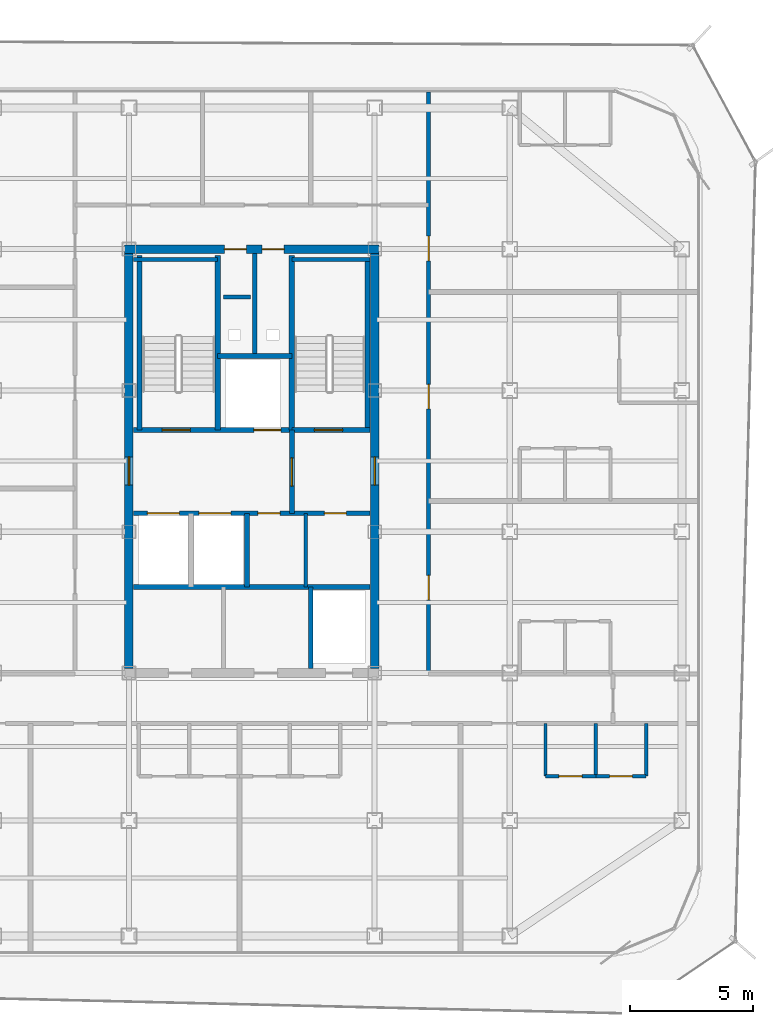
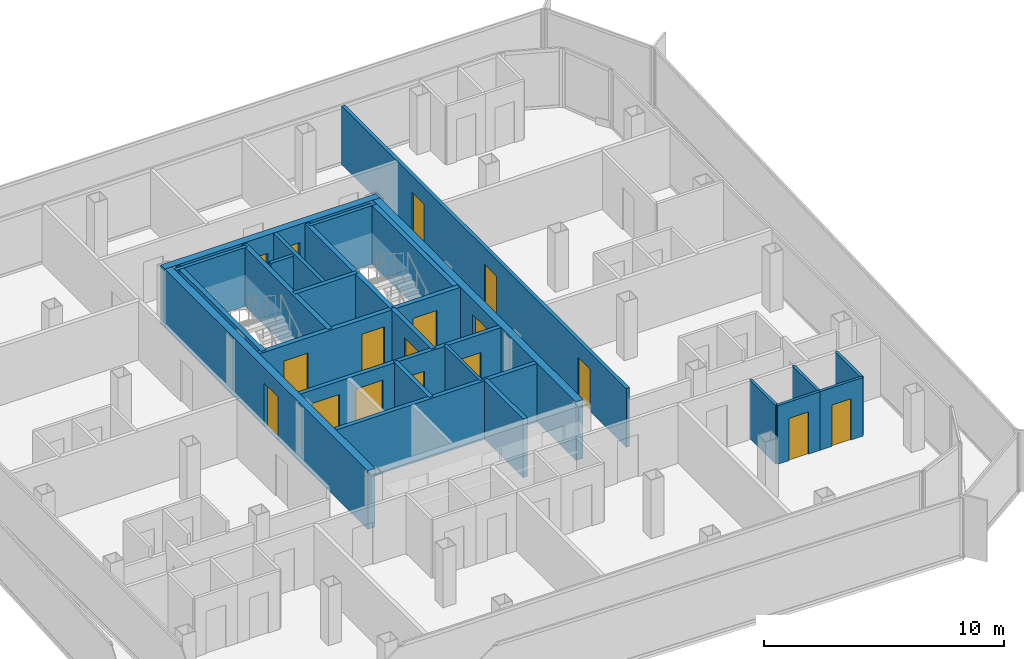
# One storey, part 11 of 16: 26 walls, 17 doors, 17 openings.
"""IFC4 building model written with IfcOpenShell, lengths in metres."""

import ifcopenshell
import ifcopenshell.guid

model = None  # the IFC model being written
_history = None  # IfcOwnerHistory: only IFC2X3 demands one
_inside = {}  # id of a spatial element -> (the spatial element, [elements in it])
_under = {}  # id of a project, library or spatial element -> (it, [spatial elements below it])
_declared = {}  # id of a project -> (the project, [libraries it declares])
_typed = {}  # id of a type object -> (the type object, [elements of that type])
_made_of = {}  # id of a material, layer set ... -> (it, [elements and type objects made of it])


def new_model(schema):
    """Start an empty IFC model of exactly this schema.

    Asked for "IFC4X3", IfcOpenShell would pick the latest addendum, in which some entities
    have other attributes; the version numbers below select the first issue.
    IFC2X3 requires an IfcOwnerHistory on every rooted entity: one is made here for all.
    """
    global model, _history
    if schema == "IFC4X3":
        model = ifcopenshell.file(schema_version=(4, 3, 0, 0))
    else:
        model = ifcopenshell.file(schema=schema)
    _inside.clear()
    _under.clear()
    _declared.clear()
    _typed.clear()
    _made_of.clear()
    _history = None
    if model.schema == "IFC2X3":
        org = make("IfcOrganization", Name="unknown")
        user = make(
            "IfcPersonAndOrganization",
            ThePerson=make("IfcPerson", FamilyName="unknown"),
            TheOrganization=org,
        )
        app = make(
            "IfcApplication",
            ApplicationDeveloper=org,
            Version="unknown",
            ApplicationFullName="unknown",
            ApplicationIdentifier="unknown",
        )
        _history = make(
            "IfcOwnerHistory",
            OwningUser=user,
            OwningApplication=app,
            ChangeAction="ADDED",
            CreationDate=0,
        )
    return model


def make(cls, **values):
    """One entity of the class cls with the attributes given. An attribute that is None is left unset."""
    return model.create_entity(
        cls, **{name: value for name, value in values.items() if value is not None}
    )


def rooted(cls, **values):
    """An entity with a GlobalId (a new one), such as an element, a storey or a relation."""
    return make(cls, GlobalId=ifcopenshell.guid.new(), OwnerHistory=_history, **values)


def si_unit(unit_type, name, prefix=None):
    """IfcSIUnit, for example si_unit("LENGTHUNIT", "METRE", prefix="MILLI")."""
    return make("IfcSIUnit", UnitType=unit_type, Prefix=prefix, Name=name)


def assignment(units):
    """IfcUnitAssignment: the units of a project."""
    return None if units is None else make("IfcUnitAssignment", Units=units)


def point(xyz):
    """IfcCartesianPoint."""
    return None if xyz is None else make("IfcCartesianPoint", Coordinates=xyz)


def direction(xyz):
    """IfcDirection."""
    return None if xyz is None else make("IfcDirection", DirectionRatios=xyz)


def frame(location, z_axis=None, x_axis=None):
    """IfcAxis2Placement3D, a coordinate frame: its origin and axes. An axis left out is left unset."""
    return make(
        "IfcAxis2Placement3D",
        Location=point(location),
        Axis=direction(z_axis),
        RefDirection=direction(x_axis),
    )


def frame_2d(location, x_axis=None):
    """IfcAxis2Placement2D, a coordinate frame in the plane: its origin and x axis."""
    return make(
        "IfcAxis2Placement2D", Location=point(location), RefDirection=direction(x_axis)
    )


def origin():
    """The frame at (0, 0, 0) with its axes left unset."""
    return frame((0.0, 0.0, 0.0))


def place(relative_to, where):
    """IfcLocalPlacement: puts the frame where relative to a parent placement (None: the world)."""
    return make(
        "IfcLocalPlacement", PlacementRelTo=relative_to, RelativePlacement=where
    )


def context(
    kind, dimensions, precision=None, world=None, true_north=None, identifier=None
):
    """IfcGeometricRepresentationContext, for example the 3D "Model" context."""
    return make(
        "IfcGeometricRepresentationContext",
        ContextIdentifier=identifier,
        ContextType=kind,
        CoordinateSpaceDimension=dimensions,
        Precision=precision,
        WorldCoordinateSystem=world,
        TrueNorth=true_north,
    )


def subcontext(parent, identifier, kind, view, scale=None):
    """IfcGeometricRepresentationSubContext, for example "Body" below "Model"."""
    return make(
        "IfcGeometricRepresentationSubContext",
        ContextIdentifier=identifier,
        ContextType=kind,
        ParentContext=parent,
        TargetScale=scale,
        TargetView=view,
    )


def project(units=None, contexts=None):
    """IfcProject with its units and contexts."""
    return rooted(
        "IfcProject",
        Name="project",
        RepresentationContexts=contexts,
        UnitsInContext=assignment(units),
    )


def spatial(cls, under=None, at=None, **own):
    """A site, building, storey or space (cls), placed at a placement, below another one or the project."""
    s = rooted(cls, ObjectPlacement=at, **own)
    if under is not None:
        _under.setdefault(under.id(), (under, []))[1].append(s)
    return s


def profile(cls, at=None, kind="AREA", **sizes):
    """A parametric profile (cls). Its sizes go by their IFC names, for example OverallWidth=200.0."""
    return make(cls, ProfileType=kind, Position=at, **sizes)


def rectangle(**sizes):
    """IfcRectangleProfileDef."""
    return profile("IfcRectangleProfileDef", **sizes)


def extrude(swept, where, along, depth):
    """IfcExtrudedAreaSolid: the profile swept, set in the frame where, extruded along a direction by depth."""
    return make(
        "IfcExtrudedAreaSolid",
        SweptArea=swept,
        Position=where,
        ExtrudedDirection=direction(along),
        Depth=depth,
    )


def shape(context_of_items, identifier, shape_type, items):
    """IfcShapeRepresentation: the items that make up one representation, for example the "Body"."""
    return make(
        "IfcShapeRepresentation",
        ContextOfItems=context_of_items,
        RepresentationIdentifier=identifier,
        RepresentationType=shape_type,
        Items=items,
    )


def material(Name=None, Category=None):
    """IfcMaterial."""
    return make("IfcMaterial", Name=Name, Category=Category)


def layer(
    of_material, thickness, ventilated=None, Name=None, Category=None, Priority=None
):
    """IfcMaterialLayer: one layer of a wall or slab, of a material (None: an air gap)."""
    return make(
        "IfcMaterialLayer",
        Material=of_material,
        LayerThickness=thickness,
        IsVentilated=ventilated,
        Name=Name,
        Category=Category,
        Priority=Priority,
    )


def layer_set(layers, Name=None):
    """IfcMaterialLayerSet."""
    return make("IfcMaterialLayerSet", MaterialLayers=layers, LayerSetName=Name)


def made_of(thing, what):
    """Note that an element or type object is made of a material, layer set ...; save() writes the relation."""
    if what is not None:
        _made_of.setdefault(what.id(), (what, []))[1].append(thing)
    return thing


def type_object(cls, material=None, **own):
    """A type object (cls), such as IfcWallType, which elements share."""
    return made_of(rooted(cls, **own), material)


def element(
    cls,
    number,
    at=None,
    inside=None,
    cuts=None,
    type_object=None,
    material=None,
    context=None,
    identifier="Body",
    shape_type=None,
    held_by="IfcProductDefinitionShape",
    body=None,
    shapes=None,
    **own,
):
    """One element of the class cls, such as IfcWall. Its Tag is "e" and its number.

    at: its placement. inside: the storey or other place that contains it. cuts: it is an
    opening in that element (IfcRelVoidsElement). A single representation is given by context,
    identifier, shape_type and body (its items); several are given by shapes. held_by: the class
    of the entity that holds the representations. save() writes the other relations.
    """
    e = rooted(cls, Tag="e%d" % number, ObjectPlacement=at, **own)
    if body is not None:
        shapes = [shape(context, identifier, shape_type, body)]
    if shapes is not None:
        e.Representation = make(held_by, Representations=shapes)
    if inside is not None:
        _inside.setdefault(inside.id(), (inside, []))[1].append(e)
    if cuts is not None:
        rooted(
            "IfcRelVoidsElement", RelatingBuildingElement=cuts, RelatedOpeningElement=e
        )
    if type_object is not None:
        _typed.setdefault(type_object.id(), (type_object, []))[1].append(e)
    return made_of(e, material)


def fill(opening, filler):
    """IfcRelFillsElement: the door or window that sits in an opening."""
    return rooted(
        "IfcRelFillsElement",
        RelatingOpeningElement=opening,
        RelatedBuildingElement=filler,
    )


def aggregate(whole, parts):
    """IfcRelAggregates: a whole, such as a stair, and the parts it consists of."""
    return rooted("IfcRelAggregates", RelatingObject=whole, RelatedObjects=parts)


def save(model, path):
    """Write the relations noted so far, then the file.

    IfcRelAggregates (storeys below a building ...), IfcRelContainedInSpatialStructure (elements
    in a storey), IfcRelDefinesByType, IfcRelAssociatesMaterial and IfcRelDeclares: one each for
    every whole, place, type object, material and project.
    """
    for whole, parts in _under.values():
        aggregate(whole, parts)
    for where, things in _inside.values():
        rooted(
            "IfcRelContainedInSpatialStructure",
            RelatedElements=things,
            RelatingStructure=where,
        )
    for kind, things in _typed.values():
        rooted("IfcRelDefinesByType", RelatedObjects=things, RelatingType=kind)
    for what, things in _made_of.values():
        rooted("IfcRelAssociatesMaterial", RelatedObjects=things, RelatingMaterial=what)
    for by, libraries in _declared.values():
        rooted("IfcRelDeclares", RelatingContext=by, RelatedDefinitions=libraries)
    model.write(path)


model = new_model("IFC4")

# Units and contexts
model_context = context("Model", 3, precision=1e-05, world=origin(), true_north=direction((0.0, 1.0)))
body_context = subcontext(model_context, "Body", "Model", "MODEL_VIEW")
ifc_project = project(units=[si_unit("LENGTHUNIT", "METRE"), si_unit("AREAUNIT", "SQUARE_METRE"), si_unit("VOLUMEUNIT", "CUBIC_METRE"), si_unit("PLANEANGLEUNIT", "RADIAN"), si_unit("MASSUNIT", "GRAM", prefix="KILO")], contexts=[model_context])

# Site, building, storey
site_placement = place(None, origin())
site = spatial("IfcSite", under=ifc_project, at=site_placement, CompositionType="ELEMENT")
building_placement = place(site_placement, origin())
building = spatial("IfcBuilding", under=site, at=building_placement, Name="Kolveth Station Tower", CompositionType="ELEMENT")
storey_placement = place(building_placement, frame((0.0, 0.0, 236.10009765625)))
storey = spatial("IfcBuildingStorey", under=building, at=storey_placement, Name="L67", CompositionType="ELEMENT", Elevation=236.10009765625)

# Wall, openings, doors
ifc_material_1 = material(Name="Concrete C50/60", Category="concrete")
ifc_layer_1 = layer(ifc_material_1, 0.35009765625)
ifc_layer_set_1 = layer_set([ifc_layer_1], Name="Concrete C50/60")
wall_type_1 = type_object("IfcWallType", Name="Wall_CW-350", PredefinedType="SHEAR", material=ifc_layer_set_1)
wall_1_placement = place(storey_placement, frame((18.324951171875, 28.75, 0.0), z_axis=(0.0, 0.0, 1.0), x_axis=(1.0, 0.0, 0.0)))
wall_1 = element("IfcWall", 1, at=wall_1_placement, inside=storey, type_object=wall_type_1, Name="L67 Core RC Shear Wall N", PredefinedType="SHEAR", context=body_context, shape_type="SweptSolid", body=[
    extrude(rectangle(XDim=10.35009765625, YDim=0.35009765625, at=frame_2d((5.175048828125, 0.0))), origin(), (0.0, 0.0, 1.0), 2.97998046875),
])
opening_1_placement = place(wall_1_placement, frame((4.054931640625, 0.0, 0.0)))
opening_1 = element("IfcOpeningElement", 2, at=opening_1_placement, cuts=wall_1, Name="Opening RD1", PredefinedType="OPENING", context=body_context, shape_type="SweptSolid", body=[
    extrude(rectangle(XDim=0.89990234375, YDim=2.050048828125, at=frame_2d((0.449951171875, 1.02490234375))), frame((0.0, 0.18505859375, 0.0), z_axis=(0.0, -1.0, 0.0), x_axis=(1.0, 0.0, 0.0)), (0.0, 0.0, 1.0), 0.3701171875),
])
opening_2_placement = place(wall_1_placement, frame((5.594970703125, 0.0, 0.0)))
opening_2 = element("IfcOpeningElement", 3, at=opening_2_placement, cuts=wall_1, Name="Opening RD1", PredefinedType="OPENING", context=body_context, shape_type="SweptSolid", body=[
    extrude(rectangle(XDim=0.89990234375, YDim=2.050048828125, at=frame_2d((0.449951171875, 1.02490234375))), frame((0.0, 0.18505859375, 0.0), z_axis=(0.0, -1.0, 0.0), x_axis=(1.0, 0.0, 0.0)), (0.0, 0.0, 1.0), 0.3701171875),
])
ifc_material_2 = material(Name="Fire-rated Steel S355 riser access leaf", Category="steel")
door_type_1 = type_object("IfcDoorType", Name="Door_RD1", OperationType="NOTDEFINED", PredefinedType="DOOR", material=ifc_material_2)
door_1_placement = place(opening_1_placement, origin())
door_1 = element("IfcDoor", 4, at=door_1_placement, inside=storey, type_object=door_type_1, Name="L67 Electrical Riser Access Door", OperationType="SINGLE_SWING_LEFT", OverallHeight=2.050048828125, OverallWidth=0.89990234375, PredefinedType="DOOR", context=body_context, shape_type="SweptSolid", body=[
    extrude(rectangle(XDim=0.89990234375, YDim=2.050048828125, at=frame_2d((0.449951171875, 1.02490234375))), frame((0.0, 0.02490234375, 0.0), z_axis=(0.0, -1.0, 0.0), x_axis=(1.0, 0.0, 0.0)), (0.0, 0.0, 1.0), 0.050048828125),
])
fill(opening_1, door_1)
door_2_placement = place(opening_2_placement, origin())
door_2 = element("IfcDoor", 5, at=door_2_placement, inside=storey, type_object=door_type_1, Name="L67 Smoke Duct Access Door", OperationType="SINGLE_SWING_RIGHT", OverallHeight=2.050048828125, OverallWidth=0.89990234375, PredefinedType="DOOR", context=body_context, shape_type="SweptSolid", body=[
    extrude(rectangle(XDim=0.89990234375, YDim=2.050048828125, at=frame_2d((0.449951171875, 1.02490234375))), frame((0.0, 0.02490234375, 0.0), z_axis=(0.0, -1.0, 0.0), x_axis=(1.0, 0.0, 0.0)), (0.0, 0.0, 1.0), 0.050048828125),
])
fill(opening_2, door_2)

# Wall, opening, door
wall_2_placement = place(storey_placement, frame((18.5, 11.675048828125, 0.0), z_axis=(0.0, 0.0, 1.0), x_axis=(0.0, 1.0, 0.0)))
wall_2 = element("IfcWall", 6, at=wall_2_placement, inside=storey, type_object=wall_type_1, Name="L67 Core RC Shear Wall W", PredefinedType="SHEAR", context=body_context, shape_type="SweptSolid", body=[
    extrude(rectangle(XDim=16.89990234375, YDim=0.35009765625, at=frame_2d((8.449951171875, 0.0))), origin(), (0.0, 0.0, 1.0), 2.97998046875),
])
opening_3_placement = place(wall_2_placement, frame((7.47509765625, 0.0, 0.0)))
opening_3 = element("IfcOpeningElement", 7, at=opening_3_placement, cuts=wall_2, Name="Opening FD1", PredefinedType="OPENING", context=body_context, shape_type="SweptSolid", body=[
    extrude(rectangle(XDim=1.14990234375, YDim=2.199951171875, at=frame_2d((0.574951171875, 1.10009765625))), frame((0.0, 0.18505859375, 0.0), z_axis=(0.0, -1.0, 0.0), x_axis=(1.0, 0.0, 0.0)), (0.0, 0.0, 1.0), 0.3701171875),
])
ifc_material_3 = material(Name="Fire-rated Steel S355 leaf and frame", Category="steel")
door_type_2 = type_object("IfcDoorType", Name="Door_FD1", OperationType="NOTDEFINED", PredefinedType="DOOR", material=ifc_material_3)
door_3_placement = place(opening_3_placement, frame((1.14990234375, 0.0, 0.0), z_axis=(0.0, 0.0, 1.0), x_axis=(-1.0, 0.0, 0.0)))
door_3 = element("IfcDoor", 8, at=door_3_placement, inside=storey, type_object=door_type_2, Name="L67 West Corridor to Firefighting Lobby Door", OperationType="SINGLE_SWING_LEFT", OverallHeight=2.199951171875, OverallWidth=1.14990234375, PredefinedType="DOOR", context=body_context, shape_type="SweptSolid", body=[
    extrude(rectangle(XDim=1.14990234375, YDim=2.199951171875, at=frame_2d((0.574951171875, 1.10009765625))), frame((0.0, 0.02490234375, 0.0), z_axis=(0.0, -1.0, 0.0), x_axis=(1.0, 0.0, 0.0)), (0.0, 0.0, 1.0), 0.050048828125),
])
fill(opening_3, door_3)

wall_3_placement = place(storey_placement, frame((28.5, 11.675048828125, 0.0), z_axis=(0.0, 0.0, 1.0), x_axis=(0.0, 1.0, 0.0)))
wall_3 = element("IfcWall", 9, at=wall_3_placement, inside=storey, type_object=wall_type_1, Name="L67 Core RC Shear Wall E", PredefinedType="SHEAR", context=body_context, shape_type="SweptSolid", body=[
    extrude(rectangle(XDim=16.89990234375, YDim=0.35009765625, at=frame_2d((8.449951171875, 0.0))), origin(), (0.0, 0.0, 1.0), 2.97998046875),
])
opening_4_placement = place(wall_3_placement, frame((7.47509765625, 0.0, 0.0)))
opening_4 = element("IfcOpeningElement", 10, at=opening_4_placement, cuts=wall_3, Name="Opening FD1", PredefinedType="OPENING", context=body_context, shape_type="SweptSolid", body=[
    extrude(rectangle(XDim=1.14990234375, YDim=2.199951171875, at=frame_2d((0.574951171875, 1.10009765625))), frame((0.0, 0.18505859375, 0.0), z_axis=(0.0, -1.0, 0.0), x_axis=(1.0, 0.0, 0.0)), (0.0, 0.0, 1.0), 0.3701171875),
])
door_4_placement = place(opening_4_placement, origin())
door_4 = element("IfcDoor", 11, at=door_4_placement, inside=storey, type_object=door_type_2, Name="L67 East Corridor to Stair Lobby Door", OperationType="SINGLE_SWING_RIGHT", OverallHeight=2.199951171875, OverallWidth=1.14990234375, PredefinedType="DOOR", context=body_context, shape_type="SweptSolid", body=[
    extrude(rectangle(XDim=1.14990234375, YDim=2.199951171875, at=frame_2d((0.574951171875, 1.10009765625))), frame((0.0, 0.02490234375, 0.0), z_axis=(0.0, -1.0, 0.0), x_axis=(1.0, 0.0, 0.0)), (0.0, 0.0, 1.0), 0.050048828125),
])
fill(opening_4, door_4)

# Wall
ifc_material_4 = material(Name="Moisture-resistant gypsum partition")
ifc_layer_2 = layer(ifc_material_4, 0.135009765625)
ifc_layer_set_2 = layer_set([ifc_layer_2], Name="Moisture-resistant gypsum partition")
wall_type_2 = type_object("IfcWallType", Name="Wall_IW-135", PredefinedType="PARTITIONING", material=ifc_layer_set_2)
wall_4_placement = place(storey_placement, frame((25.699951171875, 15.0, 0.0), z_axis=(0.0, 0.0, 1.0), x_axis=(0.0, 1.0, 0.0)))
element("IfcWall", 12, at=wall_4_placement, inside=storey, type_object=wall_type_2, Name="L67 Partition Wall WL-L67-CB-V1", PredefinedType="PARTITIONING", context=body_context, shape_type="SweptSolid", body=[
    extrude(rectangle(XDim=3.0, YDim=0.135009765625, at=frame_2d((1.5, 0.0))), origin(), (0.0, 0.0, 1.0), 2.97998046875),
])

# Wall, opening, door
wall_5_placement = place(storey_placement, frame((35.449951171875, 7.300048828125, 0.0), z_axis=(0.0, 0.0, 1.0), x_axis=(1.0, 0.0, 0.0)))
wall_5 = element("IfcWall", 13, at=wall_5_placement, inside=storey, type_object=wall_type_2, Name="L67 Partition Wall WL-L67-A4-IBHK", PredefinedType="PARTITIONING", context=body_context, shape_type="SweptSolid", body=[
    extrude(rectangle(XDim=2.050048828125, YDim=0.135009765625, at=frame_2d((1.02490234375, 0.0))), origin(), (0.0, 0.0, 1.0), 2.97998046875),
])
opening_5_placement = place(wall_5_placement, frame((0.544921875, 0.0, 0.0)))
opening_5 = element("IfcOpeningElement", 14, at=opening_5_placement, cuts=wall_5, Name="Opening ID1", PredefinedType="OPENING", context=body_context, shape_type="SweptSolid", body=[
    extrude(rectangle(XDim=0.949951171875, YDim=2.14990234375, at=frame_2d((0.47509765625, 1.074951171875))), frame((0.0, 0.077392578125, 0.0), z_axis=(0.0, -1.0, 0.0), x_axis=(1.0, 0.0, 0.0)), (0.0, 0.0, 1.0), 0.155029296875),
])
ifc_material_5 = material(Name="Acoustic hardwood leaf and aluminium frame", Category="wood")
door_type_3 = type_object("IfcDoorType", Name="Door_ID1", OperationType="NOTDEFINED", PredefinedType="DOOR", material=ifc_material_5)
door_5_placement = place(opening_5_placement, origin())
door_5 = element("IfcDoor", 15, at=door_5_placement, inside=storey, type_object=door_type_3, Name="Flat L67-A4 Kitchen Door", OperationType="SINGLE_SWING_RIGHT", OverallHeight=2.14990234375, OverallWidth=0.949951171875, PredefinedType="DOOR", context=body_context, shape_type="SweptSolid", body=[
    extrude(rectangle(XDim=0.949951171875, YDim=2.14990234375, at=frame_2d((0.47509765625, 1.074951171875))), frame((0.0, 0.02490234375, 0.0), z_axis=(0.0, -1.0, 0.0), x_axis=(1.0, 0.0, 0.0)), (0.0, 0.0, 1.0), 0.050048828125),
])
fill(opening_5, door_5)

wall_6_placement = place(storey_placement, frame((37.5, 7.300048828125, 0.0), z_axis=(0.0, 0.0, 1.0), x_axis=(1.0, 0.0, 0.0)))
wall_6 = element("IfcWall", 16, at=wall_6_placement, inside=storey, type_object=wall_type_2, Name="L67 Partition Wall WL-L67-A4-IBHB", PredefinedType="PARTITIONING", context=body_context, shape_type="SweptSolid", body=[
    extrude(rectangle(XDim=2.050048828125, YDim=0.135009765625, at=frame_2d((1.02490234375, 0.0))), origin(), (0.0, 0.0, 1.0), 2.97998046875),
])
opening_6_placement = place(wall_6_placement, frame((0.56494140625, 0.0, 0.0)))
opening_6 = element("IfcOpeningElement", 17, at=opening_6_placement, cuts=wall_6, Name="Opening ID2", PredefinedType="OPENING", context=body_context, shape_type="SweptSolid", body=[
    extrude(rectangle(XDim=0.919921875, YDim=2.10009765625, at=frame_2d((0.4599609375, 1.050048828125))), frame((0.0, 0.077392578125, 0.0), z_axis=(0.0, -1.0, 0.0), x_axis=(1.0, 0.0, 0.0)), (0.0, 0.0, 1.0), 0.155029296875),
])
ifc_material_6 = material(Name="Moisture-resistant hardwood leaf", Category="wood")
door_type_4 = type_object("IfcDoorType", Name="Door_ID2", OperationType="NOTDEFINED", PredefinedType="DOOR", material=ifc_material_6)
door_6_placement = place(opening_6_placement, origin())
door_6 = element("IfcDoor", 18, at=door_6_placement, inside=storey, type_object=door_type_4, Name="Flat L67-A4 Bathroom Door", OperationType="SINGLE_SWING_LEFT", OverallHeight=2.10009765625, OverallWidth=0.919921875, PredefinedType="DOOR", context=body_context, shape_type="SweptSolid", body=[
    extrude(rectangle(XDim=0.919921875, YDim=2.10009765625, at=frame_2d((0.4599609375, 1.050048828125))), frame((0.0, 0.02490234375, 0.0), z_axis=(0.0, -1.0, 0.0), x_axis=(1.0, 0.0, 0.0)), (0.0, 0.0, 1.0), 0.050048828125),
])
fill(opening_6, door_6)

# Walls
for number, where, z_axis, x_axis, name in (
    (19, (35.449951171875, 7.300048828125, 0.0), (0.0, 0.0, 1.0), (0.0, 1.0, 0.0), "L67 Partition Wall WL-L67-A4-IBV0"),
    (20, (37.5, 7.300048828125, 0.0), (0.0, 0.0, 1.0), (0.0, 1.0, 0.0), "L67 Partition Wall WL-L67-A4-IBV1"),
    (21, (39.550048828125, 7.300048828125, 0.0), (0.0, 0.0, 1.0), (0.0, 1.0, 0.0), "L67 Partition Wall WL-L67-A4-IBV2"),
):
    element("IfcWall", number, at=place(storey_placement, frame(where, z_axis=z_axis, x_axis=x_axis)), inside=storey, type_object=wall_type_2, Name=name, PredefinedType="PARTITIONING", context=body_context, shape_type="SweptSolid", body=[
        extrude(rectangle(XDim=2.14990234375, YDim=0.135009765625, at=frame_2d((1.074951171875, 0.0))), origin(), (0.0, 0.0, 1.0), 2.97998046875),
    ])
ifc_material_7 = material(Name="Acoustic double-stud gypsum partition")
ifc_layer_3 = layer(ifc_material_7, 0.1650390625)
ifc_layer_set_3 = layer_set([ifc_layer_3], Name="Acoustic double-stud gypsum partition")
wall_type_3 = type_object("IfcWallType", Name="Wall_IW-165", PredefinedType="PARTITIONING", material=ifc_layer_set_3)
wall_7_placement = place(storey_placement, frame((18.68505859375, 28.3349609375, 0.0), z_axis=(0.0, 0.0, 1.0), x_axis=(1.0, 0.0, 0.0)))
element("IfcWall", 22, at=wall_7_placement, inside=storey, type_object=wall_type_3, Name="L67 Stair Shaft Wall WL-L67-ST1-N", PredefinedType="PARTITIONING", context=body_context, shape_type="SweptSolid", body=[
    extrude(rectangle(XDim=3.425048828125, YDim=0.1650390625, at=frame_2d((1.71240234375, 0.0))), origin(), (0.0, 0.0, 1.0), 2.97998046875),
])
wall_8_placement = place(storey_placement, frame((25.1298828125, 28.3349609375, 0.0), z_axis=(0.0, 0.0, 1.0), x_axis=(1.0, 0.0, 0.0)))
element("IfcWall", 23, at=wall_8_placement, inside=storey, type_object=wall_type_3, Name="L67 Stair Shaft Wall WL-L67-ST2-N", PredefinedType="PARTITIONING", context=body_context, shape_type="SweptSolid", body=[
    extrude(rectangle(XDim=3.18505859375, YDim=0.1650390625, at=frame_2d((1.592529296875, 0.0))), origin(), (0.0, 0.0, 1.0), 2.97998046875),
])
wall_9_placement = place(storey_placement, frame((23.6201171875, 24.39990234375, 0.0), z_axis=(0.0, 0.0, 1.0), x_axis=(0.0, 1.0, 0.0)))
element("IfcWall", 24, at=wall_9_placement, inside=storey, type_object=wall_type_3, Name="L67 Partition Wall WL-L67-RSR-M", PredefinedType="PARTITIONING", context=body_context, shape_type="SweptSolid", body=[
    extrude(rectangle(XDim=4.1650390625, YDim=0.1650390625, at=frame_2d((2.08251953125, 0.0))), origin(), (0.0, 0.0, 1.0), 2.97998046875),
])

# Wall, openings, doors
wall_10_placement = place(storey_placement, frame((30.699951171875, 11.449951171875, 0.0), z_axis=(0.0, 0.0, 1.0), x_axis=(0.0, 1.0, 0.0)))
wall_10 = element("IfcWall", 25, at=wall_10_placement, inside=storey, type_object=wall_type_3, Name="L67 Partition Wall WL-L67-RE", PredefinedType="PARTITIONING", context=body_context, shape_type="SweptSolid", body=[
    extrude(rectangle(XDim=23.68994140625, YDim=0.1650390625, at=frame_2d((11.844970703125, 0.0))), origin(), (0.0, 0.0, 1.0), 2.97998046875),
])
opening_7_placement = place(wall_10_placement, frame((3.02490234375, 0.0, 0.0)))
opening_7 = element("IfcOpeningElement", 26, at=opening_7_placement, cuts=wall_10, Name="Opening FD3", PredefinedType="OPENING", context=body_context, shape_type="SweptSolid", body=[
    extrude(rectangle(XDim=1.0, YDim=2.14990234375, at=frame_2d((0.5, 1.074951171875))), frame((0.0, 0.092529296875, 0.0), z_axis=(0.0, -1.0, 0.0), x_axis=(1.0, 0.0, 0.0)), (0.0, 0.0, 1.0), 0.18505859375),
])
opening_8_placement = place(wall_10_placement, frame((10.800048828125, 0.0, 0.0)))
opening_8 = element("IfcOpeningElement", 27, at=opening_8_placement, cuts=wall_10, Name="Opening FD3", PredefinedType="OPENING", context=body_context, shape_type="SweptSolid", body=[
    extrude(rectangle(XDim=1.0, YDim=2.14990234375, at=frame_2d((0.5, 1.074951171875))), frame((0.0, 0.092529296875, 0.0), z_axis=(0.0, -1.0, 0.0), x_axis=(1.0, 0.0, 0.0)), (0.0, 0.0, 1.0), 0.18505859375),
])
opening_9_placement = place(wall_10_placement, frame((16.824951171875, 0.0, 0.0)))
opening_9 = element("IfcOpeningElement", 28, at=opening_9_placement, cuts=wall_10, Name="Opening FD3", PredefinedType="OPENING", context=body_context, shape_type="SweptSolid", body=[
    extrude(rectangle(XDim=1.0, YDim=2.14990234375, at=frame_2d((0.5, 1.074951171875))), frame((0.0, 0.092529296875, 0.0), z_axis=(0.0, -1.0, 0.0), x_axis=(1.0, 0.0, 0.0)), (0.0, 0.0, 1.0), 0.18505859375),
])
ifc_material_8 = material(Name="Fire-rated hardwood leaf and aluminium frame", Category="wood")
door_type_5 = type_object("IfcDoorType", Name="Door_FD3", OperationType="NOTDEFINED", PredefinedType="DOOR", material=ifc_material_8)
door_7_placement = place(opening_7_placement, frame((1.0, 0.0, 0.0), z_axis=(0.0, 0.0, 1.0), x_axis=(-1.0, 0.0, 0.0)))
door_7 = element("IfcDoor", 29, at=door_7_placement, inside=storey, type_object=door_type_5, Name="Flat L67-E1 Entrance Door", OperationType="SINGLE_SWING_RIGHT", OverallHeight=2.14990234375, OverallWidth=1.0, PredefinedType="DOOR", context=body_context, shape_type="SweptSolid", body=[
    extrude(rectangle(XDim=1.0, YDim=2.14990234375, at=frame_2d((0.5, 1.074951171875))), frame((0.0, 0.02490234375, 0.0), z_axis=(0.0, -1.0, 0.0), x_axis=(1.0, 0.0, 0.0)), (0.0, 0.0, 1.0), 0.050048828125),
])
fill(opening_7, door_7)
door_8_placement = place(opening_8_placement, frame((1.0, 0.0, 0.0), z_axis=(0.0, 0.0, 1.0), x_axis=(-1.0, 0.0, 0.0)))
door_8 = element("IfcDoor", 30, at=door_8_placement, inside=storey, type_object=door_type_5, Name="Flat L67-E2 Entrance Door", OperationType="SINGLE_SWING_RIGHT", OverallHeight=2.14990234375, OverallWidth=1.0, PredefinedType="DOOR", context=body_context, shape_type="SweptSolid", body=[
    extrude(rectangle(XDim=1.0, YDim=2.14990234375, at=frame_2d((0.5, 1.074951171875))), frame((0.0, 0.02490234375, 0.0), z_axis=(0.0, -1.0, 0.0), x_axis=(1.0, 0.0, 0.0)), (0.0, 0.0, 1.0), 0.050048828125),
])
fill(opening_8, door_8)
door_9_placement = place(opening_9_placement, frame((1.0, 0.0, 0.0), z_axis=(0.0, 0.0, 1.0), x_axis=(-1.0, 0.0, 0.0)))
door_9 = element("IfcDoor", 31, at=door_9_placement, inside=storey, type_object=door_type_5, Name="Flat L67-E3 Entrance Door", OperationType="SINGLE_SWING_LEFT", OverallHeight=2.14990234375, OverallWidth=1.0, PredefinedType="DOOR", context=body_context, shape_type="SweptSolid", body=[
    extrude(rectangle(XDim=1.0, YDim=2.14990234375, at=frame_2d((0.5, 1.074951171875))), frame((0.0, 0.02490234375, 0.0), z_axis=(0.0, -1.0, 0.0), x_axis=(1.0, 0.0, 0.0)), (0.0, 0.0, 1.0), 0.050048828125),
])
fill(opening_9, door_9)

# Walls
wall_11_placement = place(storey_placement, frame((22.35009765625, 26.800048828125, 0.0), z_axis=(0.0, 0.0, 1.0), x_axis=(1.0, 0.0, 0.0)))
element("IfcWall", 32, at=wall_11_placement, inside=storey, type_object=wall_type_3, Name="L67 Acoustic Riser Dry-Lining Wall", PredefinedType="PARTITIONING", context=body_context, shape_type="SweptSolid", body=[
    extrude(rectangle(XDim=1.099853515625, YDim=0.1650390625, at=frame_2d((0.5498046875, 0.0))), origin(), (0.0, 0.0, 1.0), 2.97998046875),
])
ifc_material_9 = material(Name="Acoustic fire-rated gypsum blockwork", Category="masonry")
ifc_layer_4 = layer(ifc_material_9, 0.199951171875)
ifc_layer_set_4 = layer_set([ifc_layer_4], Name="Acoustic fire-rated gypsum blockwork")
wall_type_4 = type_object("IfcWallType", Name="Wall_IW-200", PredefinedType="PARTITIONING", material=ifc_layer_set_4)
wall_12_placement = place(storey_placement, frame((22.110107421875, 24.39990234375, 0.0), z_axis=(0.0, 0.0, 1.0), x_axis=(1.0, 0.0, 0.0)))
element("IfcWall", 33, at=wall_12_placement, inside=storey, type_object=wall_type_4, Name="L67 Partition Wall WL-L67-RSR-S", PredefinedType="PARTITIONING", context=body_context, shape_type="SweptSolid", body=[
    extrude(rectangle(XDim=3.019775390625, YDim=0.199951171875, at=frame_2d((1.509765625, 0.0))), origin(), (0.0, 0.0, 1.0), 2.97998046875),
])

# Wall, opening, door
wall_13_placement = place(storey_placement, frame((25.1298828125, 18.0, 0.0), z_axis=(0.0, 0.0, 1.0), x_axis=(0.0, 1.0, 0.0)))
wall_13 = element("IfcWall", 34, at=wall_13_placement, inside=storey, type_object=wall_type_4, Name="L67 Partition Wall WL-L67-FFL-E", PredefinedType="PARTITIONING", context=body_context, shape_type="SweptSolid", body=[
    extrude(rectangle(XDim=3.389892578125, YDim=0.199951171875, at=frame_2d((1.69482421875, 0.0))), origin(), (0.0, 0.0, 1.0), 2.97998046875),
])
opening_10_placement = place(wall_13_placement, frame((1.10009765625, 0.0, 0.0)))
opening_10 = element("IfcOpeningElement", 35, at=opening_10_placement, cuts=wall_13, Name="Opening FD1", PredefinedType="OPENING", context=body_context, shape_type="SweptSolid", body=[
    extrude(rectangle(XDim=1.14990234375, YDim=2.199951171875, at=frame_2d((0.574951171875, 1.10009765625))), frame((0.0, 0.10986328125, 0.0), z_axis=(0.0, -1.0, 0.0), x_axis=(1.0, 0.0, 0.0)), (0.0, 0.0, 1.0), 0.219970703125),
])
door_10_placement = place(opening_10_placement, origin())
door_10 = element("IfcDoor", 36, at=door_10_placement, inside=storey, type_object=door_type_2, Name="L67 Firefighting to Stair Lobby Door", OperationType="SINGLE_SWING_LEFT", OverallHeight=2.199951171875, OverallWidth=1.14990234375, PredefinedType="DOOR", context=body_context, shape_type="SweptSolid", body=[
    extrude(rectangle(XDim=1.14990234375, YDim=2.199951171875, at=frame_2d((0.574951171875, 1.10009765625))), frame((0.0, 0.02490234375, 0.0), z_axis=(0.0, -1.0, 0.0), x_axis=(1.0, 0.0, 0.0)), (0.0, 0.0, 1.0), 0.050048828125),
])
fill(opening_10, door_10)

# Wall, openings, doors
wall_14_placement = place(storey_placement, frame((18.68505859375, 18.0, 0.0), z_axis=(0.0, 0.0, 1.0), x_axis=(1.0, 0.0, 0.0)))
wall_14 = element("IfcWall", 37, at=wall_14_placement, inside=storey, type_object=wall_type_4, Name="L67 Partition Wall WL-L67-FFL-S", PredefinedType="PARTITIONING", context=body_context, shape_type="SweptSolid", body=[
    extrude(rectangle(XDim=9.6298828125, YDim=0.199951171875, at=frame_2d((4.81494140625, 0.0))), origin(), (0.0, 0.0, 1.0), 2.97998046875),
])
opening_11_placement = place(wall_14_placement, frame((0.56494140625, 0.0, 0.0)))
opening_11 = element("IfcOpeningElement", 38, at=opening_11_placement, cuts=wall_14, Name="Opening LD2", PredefinedType="OPENING", context=body_context, shape_type="SweptSolid", body=[
    extrude(rectangle(XDim=1.300048828125, YDim=2.300048828125, at=frame_2d((0.64990234375, 1.14990234375))), frame((0.0, 0.10986328125, 0.0), z_axis=(0.0, -1.0, 0.0), x_axis=(1.0, 0.0, 0.0)), (0.0, 0.0, 1.0), 0.219970703125),
])
opening_12_placement = place(wall_14_placement, frame((2.6650390625, 0.0, 0.0)))
opening_12 = element("IfcOpeningElement", 39, at=opening_12_placement, cuts=wall_14, Name="Opening LD2", PredefinedType="OPENING", context=body_context, shape_type="SweptSolid", body=[
    extrude(rectangle(XDim=1.300048828125, YDim=2.300048828125, at=frame_2d((0.64990234375, 1.14990234375))), frame((0.0, 0.10986328125, 0.0), z_axis=(0.0, -1.0, 0.0), x_axis=(1.0, 0.0, 0.0)), (0.0, 0.0, 1.0), 0.219970703125),
])
opening_13_placement = place(wall_14_placement, frame((5.06494140625, 0.0, 0.0)))
opening_13 = element("IfcOpeningElement", 40, at=opening_13_placement, cuts=wall_14, Name="Opening RD1", PredefinedType="OPENING", context=body_context, shape_type="SweptSolid", body=[
    extrude(rectangle(XDim=0.89990234375, YDim=2.050048828125, at=frame_2d((0.449951171875, 1.02490234375))), frame((0.0, 0.10986328125, 0.0), z_axis=(0.0, -1.0, 0.0), x_axis=(1.0, 0.0, 0.0)), (0.0, 0.0, 1.0), 0.219970703125),
])
opening_14_placement = place(wall_14_placement, frame((7.764892578125, 0.0, 0.0)))
opening_14 = element("IfcOpeningElement", 41, at=opening_14_placement, cuts=wall_14, Name="Opening RD1", PredefinedType="OPENING", context=body_context, shape_type="SweptSolid", body=[
    extrude(rectangle(XDim=0.89990234375, YDim=2.050048828125, at=frame_2d((0.449951171875, 1.02490234375))), frame((0.0, 0.10986328125, 0.0), z_axis=(0.0, -1.0, 0.0), x_axis=(1.0, 0.0, 0.0)), (0.0, 0.0, 1.0), 0.219970703125),
])
ifc_material_10 = material(Name="Firefighting stainless steel sliding landing doors", Category="steel")
door_type_6 = type_object("IfcDoorType", Name="Door_LD2", OperationType="NOTDEFINED", PredefinedType="DOOR", material=ifc_material_10)
door_11_placement = place(opening_11_placement, origin())
door_11 = element("IfcDoor", 42, at=door_11_placement, inside=storey, type_object=door_type_6, Name="L67 Firefighting Lift FF1 Landing Door", OperationType="DOUBLE_DOOR_SLIDING", OverallHeight=2.300048828125, OverallWidth=1.300048828125, PredefinedType="DOOR", context=body_context, shape_type="SweptSolid", body=[
    extrude(rectangle(XDim=1.300048828125, YDim=2.300048828125, at=frame_2d((0.64990234375, 1.14990234375))), frame((0.0, 0.02490234375, 0.0), z_axis=(0.0, -1.0, 0.0), x_axis=(1.0, 0.0, 0.0)), (0.0, 0.0, 1.0), 0.050048828125),
])
fill(opening_11, door_11)
door_12_placement = place(opening_12_placement, origin())
door_12 = element("IfcDoor", 43, at=door_12_placement, inside=storey, type_object=door_type_6, Name="L67 Firefighting Lift FF2 Landing Door", OperationType="DOUBLE_DOOR_SLIDING", OverallHeight=2.300048828125, OverallWidth=1.300048828125, PredefinedType="DOOR", context=body_context, shape_type="SweptSolid", body=[
    extrude(rectangle(XDim=1.300048828125, YDim=2.300048828125, at=frame_2d((0.64990234375, 1.14990234375))), frame((0.0, 0.02490234375, 0.0), z_axis=(0.0, -1.0, 0.0), x_axis=(1.0, 0.0, 0.0)), (0.0, 0.0, 1.0), 0.050048828125),
])
fill(opening_12, door_12)
door_13_placement = place(opening_13_placement, frame((0.89990234375, 0.0, 0.0), z_axis=(0.0, 0.0, 1.0), x_axis=(-1.0, 0.0, 0.0)))
door_13 = element("IfcDoor", 44, at=door_13_placement, inside=storey, type_object=door_type_1, Name="L67 Core Accessible WC Door", OperationType="SINGLE_SWING_LEFT", OverallHeight=2.050048828125, OverallWidth=0.89990234375, PredefinedType="DOOR", context=body_context, shape_type="SweptSolid", body=[
    extrude(rectangle(XDim=0.89990234375, YDim=2.050048828125, at=frame_2d((0.449951171875, 1.02490234375))), frame((0.0, 0.02490234375, 0.0), z_axis=(0.0, -1.0, 0.0), x_axis=(1.0, 0.0, 0.0)), (0.0, 0.0, 1.0), 0.050048828125),
])
fill(opening_13, door_13)
door_14_placement = place(opening_14_placement, frame((0.89990234375, 0.0, 0.0), z_axis=(0.0, 0.0, 1.0), x_axis=(-1.0, 0.0, 0.0)))
door_14 = element("IfcDoor", 45, at=door_14_placement, inside=storey, type_object=door_type_1, Name="L67 Core Cleaner Store Door", OperationType="SINGLE_SWING_RIGHT", OverallHeight=2.050048828125, OverallWidth=0.89990234375, PredefinedType="DOOR", context=body_context, shape_type="SweptSolid", body=[
    extrude(rectangle(XDim=0.89990234375, YDim=2.050048828125, at=frame_2d((0.449951171875, 1.02490234375))), frame((0.0, 0.02490234375, 0.0), z_axis=(0.0, -1.0, 0.0), x_axis=(1.0, 0.0, 0.0)), (0.0, 0.0, 1.0), 0.050048828125),
])
fill(opening_14, door_14)

# Walls
wall_15_placement = place(storey_placement, frame((23.300048828125, 15.0, 0.0), z_axis=(0.0, 0.0, 1.0), x_axis=(0.0, 1.0, 0.0)))
element("IfcWall", 46, at=wall_15_placement, inside=storey, type_object=wall_type_4, Name="L67 Partition Wall WL-L67-FF2E", PredefinedType="PARTITIONING", context=body_context, shape_type="SweptSolid", body=[
    extrude(rectangle(XDim=3.0, YDim=0.199951171875, at=frame_2d((1.5, 0.0))), origin(), (0.0, 0.0, 1.0), 2.97998046875),
])
wall_16_placement = place(storey_placement, frame((18.68505859375, 15.0, 0.0), z_axis=(0.0, 0.0, 1.0), x_axis=(1.0, 0.0, 0.0)))
element("IfcWall", 47, at=wall_16_placement, inside=storey, type_object=wall_type_4, Name="L67 Partition Wall WL-L67-BOH-S", PredefinedType="PARTITIONING", context=body_context, shape_type="SweptSolid", body=[
    extrude(rectangle(XDim=9.6298828125, YDim=0.199951171875, at=frame_2d((4.81494140625, 0.0))), origin(), (0.0, 0.0, 1.0), 2.97998046875),
])
wall_17_placement = place(storey_placement, frame((25.89990234375, 11.68505859375, 0.0), z_axis=(0.0, 0.0, 1.0), x_axis=(0.0, 1.0, 0.0)))
element("IfcWall", 48, at=wall_17_placement, inside=storey, type_object=wall_type_4, Name="L67 Partition Wall WL-L67-PMPH", PredefinedType="PARTITIONING", context=body_context, shape_type="SweptSolid", body=[
    extrude(rectangle(XDim=3.31494140625, YDim=0.199951171875, at=frame_2d((1.657470703125, 0.0))), origin(), (0.0, 0.0, 1.0), 2.97998046875),
])
ifc_material_11 = material(Name="Concrete C40/50", Category="concrete")
ifc_layer_5 = layer(ifc_material_11, 0.219970703125)
ifc_layer_set_5 = layer_set([ifc_layer_5], Name="Concrete C40/50")
wall_type_5 = type_object("IfcWallType", Name="Wall_IW-220", PredefinedType="SOLIDWALL", material=ifc_layer_set_5)
for number, where, z_axis, x_axis, name in (
    (49, (18.929931640625, 21.389892578125, 0.0), (0.0, 0.0, 1.0), (0.0, 1.0, 0.0), "L67 Stair Shaft Wall WL-L67-ST1-W"),
    (50, (22.110107421875, 21.389892578125, 0.0), (0.0, 0.0, 1.0), (0.0, 1.0, 0.0), "L67 Stair Shaft Wall WL-L67-ST1-E"),
    (51, (25.1298828125, 21.389892578125, 0.0), (0.0, 0.0, 1.0), (0.0, 1.0, 0.0), "L67 Stair Shaft Wall WL-L67-ST2-W"),
):
    element("IfcWall", number, at=place(storey_placement, frame(where, z_axis=z_axis, x_axis=x_axis)), inside=storey, type_object=wall_type_5, Name=name, PredefinedType="SOLIDWALL", context=body_context, shape_type="SweptSolid", body=[
        extrude(rectangle(XDim=7.110107421875, YDim=0.219970703125, at=frame_2d((3.55517578125, 0.0))), origin(), (0.0, 0.0, 1.0), 2.97998046875),
    ])
wall_18_placement = place(storey_placement, frame((28.2099609375, 21.389892578125, 0.0), z_axis=(0.0, 0.0, 1.0), x_axis=(0.0, 1.0, 0.0)))
element("IfcWall", 52, at=wall_18_placement, inside=storey, type_object=wall_type_5, Name="L67 Stair Shaft Wall WL-L67-ST2-E", PredefinedType="SOLIDWALL", context=body_context, shape_type="SweptSolid", body=[
    extrude(rectangle(XDim=6.945068359375, YDim=0.219970703125, at=frame_2d((3.47265625, 0.0))), origin(), (0.0, 0.0, 1.0), 2.97998046875),
])

# Wall, openings, doors
wall_19_placement = place(storey_placement, frame((18.68505859375, 21.389892578125, 0.0), z_axis=(0.0, 0.0, 1.0), x_axis=(1.0, 0.0, 0.0)))
wall_19 = element("IfcWall", 53, at=wall_19_placement, inside=storey, type_object=wall_type_5, Name="L67 Stair Shaft Wall WL-L67-ST1-S", PredefinedType="SOLIDWALL", context=body_context, shape_type="SweptSolid", body=[
    extrude(rectangle(XDim=6.44482421875, YDim=0.219970703125, at=frame_2d((3.222412109375, 0.0))), origin(), (0.0, 0.0, 1.0), 2.97998046875),
])
opening_15_placement = place(wall_19_placement, frame((1.1650390625, 0.0, 0.0)))
opening_15 = element("IfcOpeningElement", 54, at=opening_15_placement, cuts=wall_19, Name="Opening FD1", PredefinedType="OPENING", context=body_context, shape_type="SweptSolid", body=[
    extrude(rectangle(XDim=1.14990234375, YDim=2.199951171875, at=frame_2d((0.574951171875, 1.10009765625))), frame((0.0, 0.119873046875, 0.0), z_axis=(0.0, -1.0, 0.0), x_axis=(1.0, 0.0, 0.0)), (0.0, 0.0, 1.0), 0.239990234375),
])
opening_16_placement = place(wall_19_placement, frame((4.89501953125, 0.0, 0.0)))
opening_16 = element("IfcOpeningElement", 55, at=opening_16_placement, cuts=wall_19, Name="Opening LD1", PredefinedType="OPENING", context=body_context, shape_type="SweptSolid", body=[
    extrude(rectangle(XDim=1.10009765625, YDim=2.25, at=frame_2d((0.550048828125, 1.125))), frame((0.0, 0.119873046875, 0.0), z_axis=(0.0, -1.0, 0.0), x_axis=(1.0, 0.0, 0.0)), (0.0, 0.0, 1.0), 0.239990234375),
])
door_15_placement = place(opening_15_placement, frame((1.14990234375, 0.0, 0.0), z_axis=(0.0, 0.0, 1.0), x_axis=(-1.0, 0.0, 0.0)))
door_15 = element("IfcDoor", 56, at=door_15_placement, inside=storey, type_object=door_type_2, Name="L67 Stair ST1 Fire Door", OperationType="SINGLE_SWING_RIGHT", OverallHeight=2.199951171875, OverallWidth=1.14990234375, PredefinedType="DOOR", context=body_context, shape_type="SweptSolid", body=[
    extrude(rectangle(XDim=1.14990234375, YDim=2.199951171875, at=frame_2d((0.574951171875, 1.10009765625))), frame((0.0, 0.02490234375, 0.0), z_axis=(0.0, -1.0, 0.0), x_axis=(1.0, 0.0, 0.0)), (0.0, 0.0, 1.0), 0.050048828125),
])
fill(opening_15, door_15)
ifc_material_12 = material(Name="Brushed stainless steel sliding landing doors", Category="steel")
door_type_7 = type_object("IfcDoorType", Name="Door_LD1", OperationType="NOTDEFINED", PredefinedType="DOOR", material=ifc_material_12)
door_16_placement = place(opening_16_placement, frame((1.10009765625, 0.0, 0.0), z_axis=(0.0, 0.0, 1.0), x_axis=(-1.0, 0.0, 0.0)))
door_16 = element("IfcDoor", 57, at=door_16_placement, inside=storey, type_object=door_type_7, Name="L67 Service Lift SV1 Landing Door", OperationType="DOUBLE_DOOR_SLIDING", OverallHeight=2.25, OverallWidth=1.10009765625, PredefinedType="DOOR", context=body_context, shape_type="SweptSolid", body=[
    extrude(rectangle(XDim=1.10009765625, YDim=2.25, at=frame_2d((0.550048828125, 1.125))), frame((0.0, 0.02490234375, 0.0), z_axis=(0.0, -1.0, 0.0), x_axis=(1.0, 0.0, 0.0)), (0.0, 0.0, 1.0), 0.050048828125),
])
fill(opening_16, door_16)

# Wall, opening, door
wall_20_placement = place(storey_placement, frame((25.1298828125, 21.389892578125, 0.0), z_axis=(0.0, 0.0, 1.0), x_axis=(1.0, 0.0, 0.0)))
wall_20 = element("IfcWall", 58, at=wall_20_placement, inside=storey, type_object=wall_type_5, Name="L67 Stair Shaft Wall WL-L67-ST2-S", PredefinedType="SOLIDWALL", context=body_context, shape_type="SweptSolid", body=[
    extrude(rectangle(XDim=3.18505859375, YDim=0.219970703125, at=frame_2d((1.592529296875, 0.0))), origin(), (0.0, 0.0, 1.0), 2.97998046875),
])
opening_17_placement = place(wall_20_placement, frame((0.919921875, 0.0, 0.0)))
opening_17 = element("IfcOpeningElement", 59, at=opening_17_placement, cuts=wall_20, Name="Opening FD1", PredefinedType="OPENING", context=body_context, shape_type="SweptSolid", body=[
    extrude(rectangle(XDim=1.14990234375, YDim=2.199951171875, at=frame_2d((0.574951171875, 1.10009765625))), frame((0.0, 0.119873046875, 0.0), z_axis=(0.0, -1.0, 0.0), x_axis=(1.0, 0.0, 0.0)), (0.0, 0.0, 1.0), 0.239990234375),
])
door_17_placement = place(opening_17_placement, frame((1.14990234375, 0.0, 0.0), z_axis=(0.0, 0.0, 1.0), x_axis=(-1.0, 0.0, 0.0)))
door_17 = element("IfcDoor", 60, at=door_17_placement, inside=storey, type_object=door_type_2, Name="L67 Stair ST2 Fire Door", OperationType="SINGLE_SWING_LEFT", OverallHeight=2.199951171875, OverallWidth=1.14990234375, PredefinedType="DOOR", context=body_context, shape_type="SweptSolid", body=[
    extrude(rectangle(XDim=1.14990234375, YDim=2.199951171875, at=frame_2d((0.574951171875, 1.10009765625))), frame((0.0, 0.02490234375, 0.0), z_axis=(0.0, -1.0, 0.0), x_axis=(1.0, 0.0, 0.0)), (0.0, 0.0, 1.0), 0.050048828125),
])
fill(opening_17, door_17)

save(model, "model.ifc")
